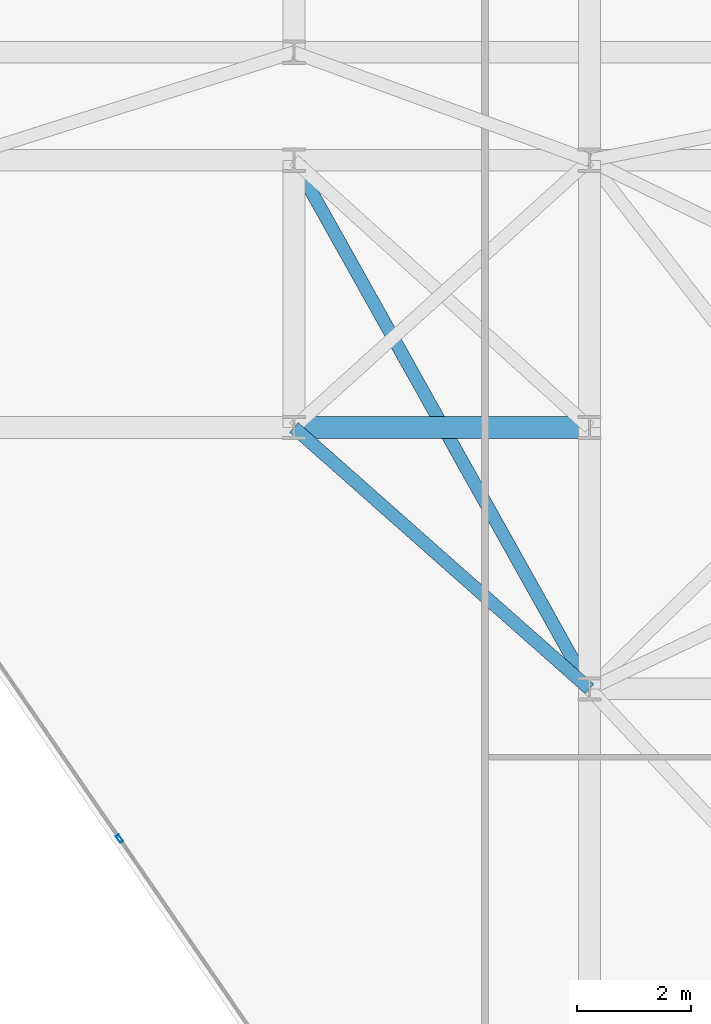
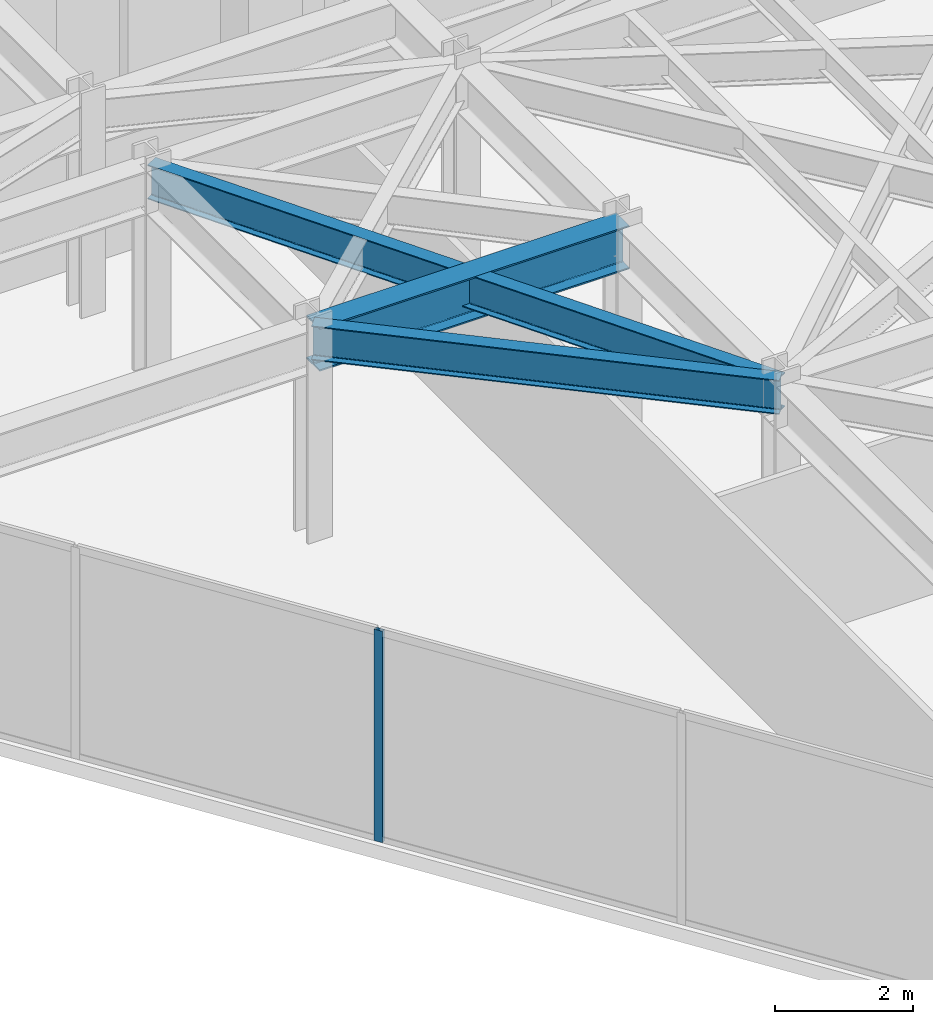
# One storey, part 12 of 21: 3 beams, 1 member, 1 element without a shape of its own.
"""IFC4 building model written with IfcOpenShell, lengths in metres."""

from ifc_helpers import new_model, si_unit, direction, frame, origin, origin_2d, place, context, subcontext, project, spatial, hollow_rectangle, i_section, extrude, material, layer, layer_set, material_profile, profile_set, type_object, element, aggregate, save


model = new_model("IFC4")

# Units and contexts
model_context = context("Model", 3, precision=1e-05, world=origin(), true_north=direction((0.0, 1.0)))
body_context = subcontext(model_context, "Body", "Model", "MODEL_VIEW")
ifc_project = project(units=[si_unit("LENGTHUNIT", "METRE"), si_unit("AREAUNIT", "SQUARE_METRE"), si_unit("VOLUMEUNIT", "CUBIC_METRE"), si_unit("PLANEANGLEUNIT", "RADIAN"), si_unit("MASSUNIT", "GRAM", prefix="KILO")], contexts=[model_context])

# Site, building, storey
site_placement = place(None, origin())
site = spatial("IfcSite", under=ifc_project, at=site_placement, CompositionType="ELEMENT")
building_placement = place(site_placement, origin())
building = spatial("IfcBuilding", under=site, at=building_placement, Name="Kravanh Interchange Tower", CompositionType="ELEMENT")
storey_placement = place(building_placement, frame((0.0, 0.0, 168.5)))
storey = spatial("IfcBuildingStorey", under=building, at=storey_placement, Name="L40", CompositionType="ELEMENT", Elevation=168.5)

# Curtain wall, member
ifc_material_1 = material(Name="Anodised Bronze Aluminium", Category="aluminium")
ifc_layer = layer(ifc_material_1, 0.179931640625)
ifc_layer_set = layer_set([ifc_layer], Name="Unitised Curtain Wall System CW-Z3 Upper Office")
curtain_wall_type = type_object("IfcCurtainWallType", Name="Unitised Curtain Wall System CW-Z3 Upper Office", PredefinedType="NOTDEFINED", material=ifc_layer_set)
curtain_wall_placement = place(storey_placement, origin())
curtain_wall = element("IfcCurtainWall", 1, at=curtain_wall_placement, inside=storey, type_object=curtain_wall_type, Name="L40 Unitised Curtain Wall CW-L40-03", PredefinedType="NOTDEFINED")
ifc_material_2 = material(Name="Anodised Bronze Aluminium", Category="aluminium")
ifc_material_profile_1 = material_profile(ifc_material_2, hollow_rectangle(XDim=0.06005859375, YDim=0.139892578125, WallThickness=0.00390625, at=origin_2d()), Name="ALU60X140X4")
ifc_profile_set_1 = profile_set([ifc_material_profile_1], Name="Anodised Bronze Aluminium")
member_type = type_object("IfcMemberType", Name="Curtain Wall Mullion ALU60X140X4 Bronze", PredefinedType="MULLION", material=ifc_profile_set_1)
member_placement = place(storey_placement, frame((47.7314453125, 19.56591796875, 0.0), z_axis=(0.0, 0.0, 1.0), x_axis=(-0.824042223035, -0.566528388217, 0.0)))
member = element("IfcMember", 2, at=member_placement, type_object=member_type, Name="CW-Z3 mullion 3", PredefinedType="MULLION", context=body_context, shape_type="SweptSolid", body=[
    extrude(hollow_rectangle(XDim=0.06005859375, YDim=0.139892578125, WallThickness=0.00390625, at=origin_2d()), origin(), (0.0, 0.0, 1.0), 3.7548828125),
])
aggregate(curtain_wall, [member])

# Beams
ifc_material_3 = material(Name="Structural Steel S355", Category="steel")
ifc_material_profile_2 = material_profile(ifc_material_3, i_section(OverallWidth=0.381103515625, OverallDepth=0.77294921875, WebThickness=0.0166015625, FlangeThickness=0.027099609375, FilletRadius=0.02490234375, at=origin_2d()), Name="W30X173")
ifc_profile_set_2 = profile_set([ifc_material_profile_2], Name="Structural Steel S355")
beam_type_1 = type_object("IfcBeamType", Name="Floor Beam W30X173 Structural Steel S355", PredefinedType="BEAM", material=ifc_profile_set_2)
beam_1_placement = place(storey_placement, frame((50.800048828125, 26.800048828125, 3.368408203125), z_axis=(1.0, 0.0, 0.0), x_axis=(0.0, 1.0, 0.0)))
element("IfcBeam", 3, at=beam_1_placement, inside=storey, type_object=beam_type_1, Name="L40 Primary Floor Girder 50", PredefinedType="BEAM", context=body_context, shape_type="SweptSolid", body=[
    extrude(i_section(OverallWidth=0.381103515625, OverallDepth=0.77294921875, WebThickness=0.0166015625, FlangeThickness=0.027099609375, FilletRadius=0.02490234375, at=origin_2d()), origin(), (0.0, 0.0, 1.0), 5.199951171875),
])
ifc_material_4 = material(Name="Structural Steel S355", Category="steel")
ifc_material_profile_3 = material_profile(ifc_material_4, i_section(OverallWidth=0.22802734375, OverallDepth=0.60791015625, WebThickness=0.01123046875, FlangeThickness=0.017333984375, FilletRadius=0.02197265625, at=origin_2d()), Name="W24X76")
ifc_profile_set_3 = profile_set([ifc_material_profile_3], Name="Structural Steel S355")
beam_type_2 = type_object("IfcBeamType", Name="Floor Spandrel W24X76 Structural Steel S355", PredefinedType="SPANDREL", material=ifc_profile_set_3)
beam_2_placement = place(storey_placement, frame((50.800048828125, 26.800048828125, 3.450927734375), z_axis=(0.74898649432, -0.662585263439, 0.0), x_axis=(0.662585263439, 0.74898649432, 0.0)))
element("IfcBeam", 4, at=beam_2_placement, inside=storey, type_object=beam_type_2, Name="L40 Perimeter Spandrel 51", PredefinedType="SPANDREL", context=body_context, shape_type="SweptSolid", body=[
    extrude(i_section(OverallWidth=0.22802734375, OverallDepth=0.60791015625, WebThickness=0.01123046875, FlangeThickness=0.017333984375, FilletRadius=0.02197265625, at=origin_2d()), origin(), (0.0, 0.0, 1.0), 6.942626953125),
])
beam_3_placement = place(storey_placement, frame((50.800048828125, 31.5, 3.450927734375), z_axis=(0.488026248114, -0.872828952975, 0.0), x_axis=(0.872828952975, 0.488026248114, 0.0)))
element("IfcBeam", 5, at=beam_3_placement, inside=storey, type_object=beam_type_2, Name="L40 Perimeter Spandrel 78", PredefinedType="SPANDREL", context=body_context, shape_type="SweptSolid", body=[
    extrude(i_section(OverallWidth=0.22802734375, OverallDepth=0.60791015625, WebThickness=0.01123046875, FlangeThickness=0.017333984375, FilletRadius=0.02197265625, at=origin_2d()), origin(), (0.0, 0.0, 1.0), 10.655029296875),
])

save(model, "model.ifc")
